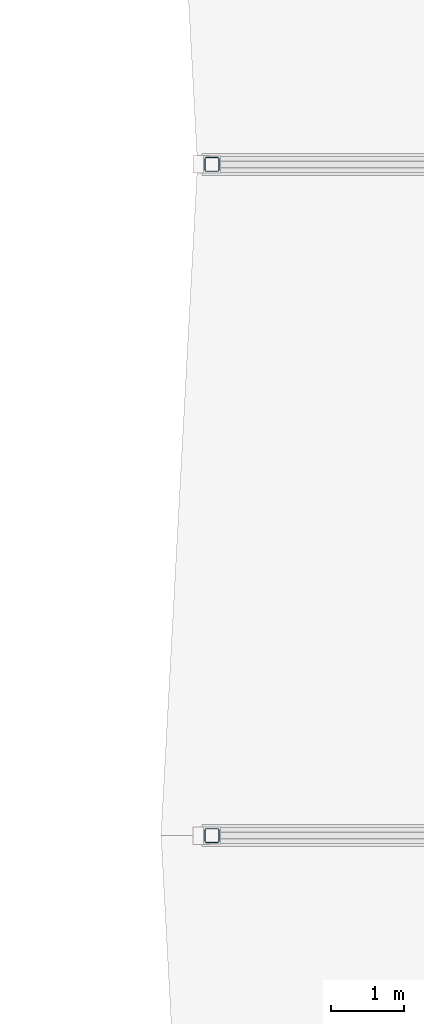
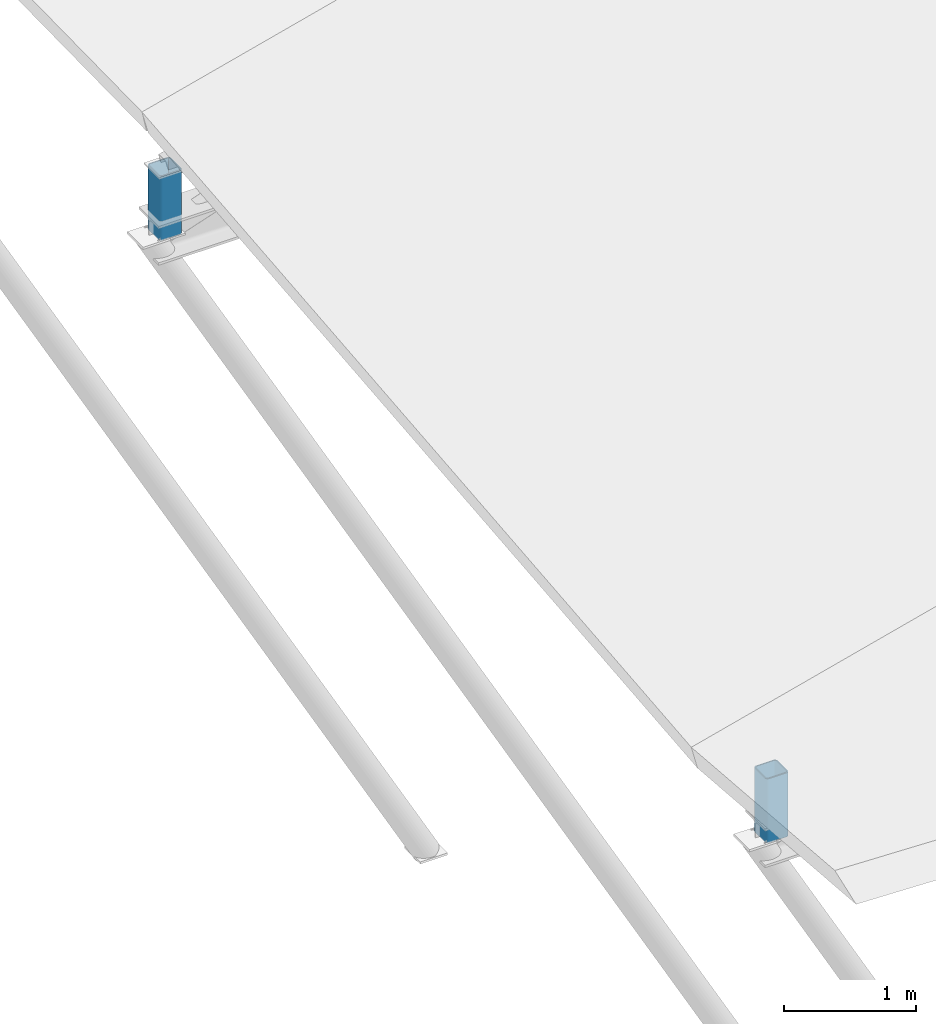
# One storey, part 42 of 56: 2 members.
"""IFC4 building model written with IfcOpenShell, lengths in metres."""

from ifc_helpers import new_model, si_unit, direction, frame, origin, origin_2d, place, context, subcontext, project, spatial, hollow_rectangle, extrude, material, material_profile, profile_set, type_object, element, save


model = new_model("IFC4")

# Units and contexts
model_context = context("Model", 3, precision=1e-05, world=origin(), true_north=direction((0.0, 1.0)))
body_context = subcontext(model_context, "Body", "Model", "MODEL_VIEW")
ifc_project = project(units=[si_unit("LENGTHUNIT", "METRE"), si_unit("AREAUNIT", "SQUARE_METRE"), si_unit("VOLUMEUNIT", "CUBIC_METRE"), si_unit("PLANEANGLEUNIT", "RADIAN"), si_unit("MASSUNIT", "GRAM", prefix="KILO")], contexts=[model_context])

# Site, building, storey
site_placement = place(None, origin())
site = spatial("IfcSite", under=ifc_project, at=site_placement, CompositionType="ELEMENT")
building_placement = place(site_placement, origin())
building = spatial("IfcBuilding", under=site, at=building_placement, Name="Bozkorgan Art Gallery", CompositionType="ELEMENT")
storey_placement = place(building_placement, frame((0.0, 0.0, 24.0)))
storey = spatial("IfcBuildingStorey", under=building, at=storey_placement, Name="L05", CompositionType="ELEMENT", Elevation=24.0)

# Members
ifc_material = material(Name="Steel S355J2", Category="steel")
ifc_material_profile = material_profile(ifc_material, hollow_rectangle(XDim=0.199951171875, YDim=0.199951171875, WallThickness=0.010009765625, InnerFilletRadius=0.014892578125, OuterFilletRadius=0.02490234375, at=origin_2d()), Name="SHS 200x200x10")
ifc_profile_set = profile_set([ifc_material_profile], Name="Steel S355J2")
member_type = type_object("IfcMemberType", Name="MEMBER-TP-32", PredefinedType="POST", material=ifc_profile_set)
for number, where, z_axis, x_axis, name in (
    (1, (66.39990234375, 66.0, 0.179931640625), (0.0, 0.0, 1.0), (1.0, 0.0, 0.0), "ROOF-V4-MAIN roof truss 3 post 0"),
    (2, (66.39990234375, 75.199951171875, 0.179931640625), (0.0, 0.0, 1.0), (1.0, 0.0, 0.0), "ROOF-V4-MAIN roof truss 4 post 0"),
):
    element("IfcMember", number, at=place(storey_placement, frame(where, z_axis=z_axis, x_axis=x_axis)), inside=storey, type_object=member_type, Name=name, PredefinedType="POST", context=body_context, shape_type="SweptSolid", body=[
        extrude(hollow_rectangle(XDim=0.199951171875, YDim=0.199951171875, WallThickness=0.010009765625, InnerFilletRadius=0.014892578125, OuterFilletRadius=0.02490234375, at=origin_2d()), origin(), (0.0, 0.0, 1.0), 0.5927734375),
    ])

save(model, "model.ifc")
